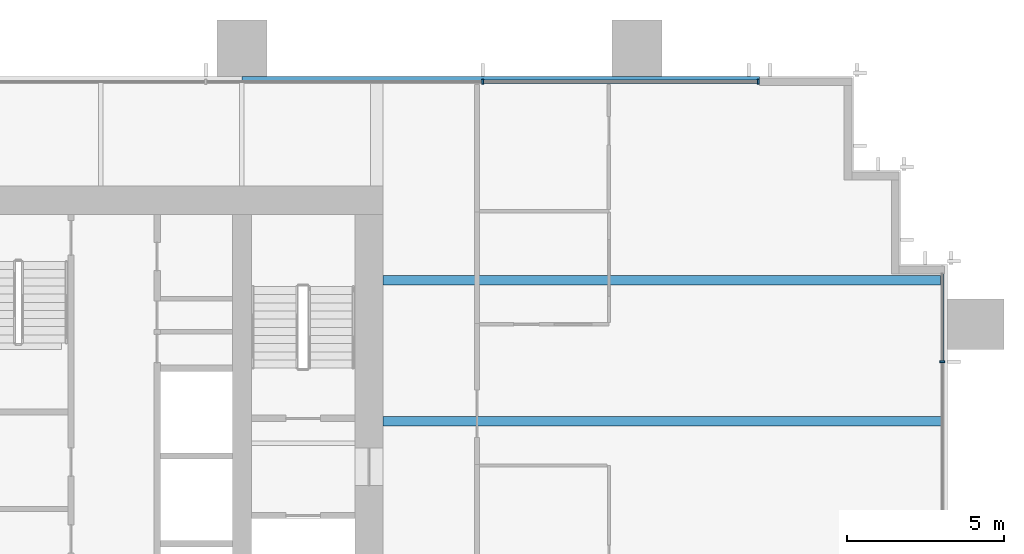
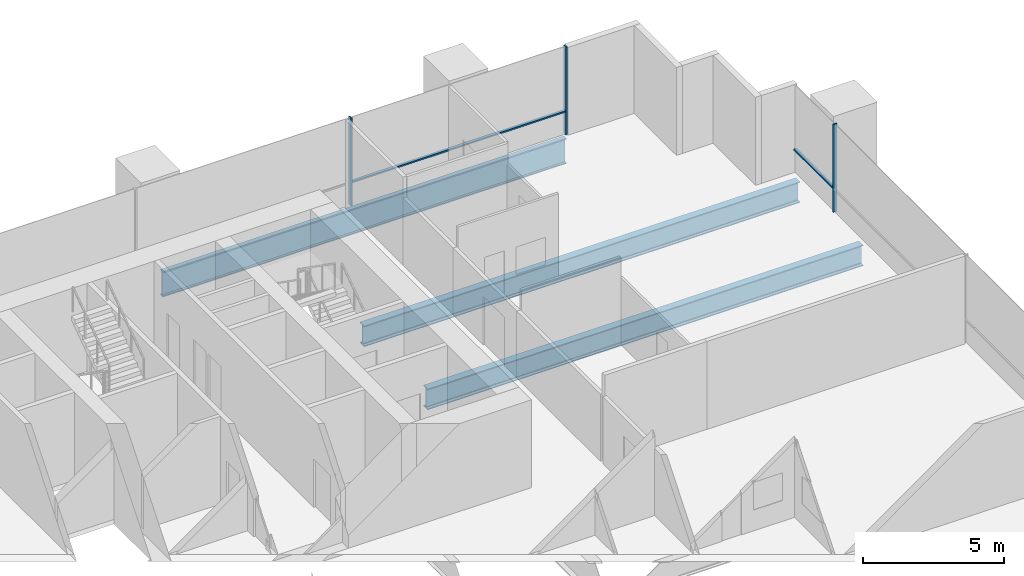
# One storey, part 10 of 17: 5 members, 3 beams, 2 elements without a shape of their own.
"""IFC4 building model written with IfcOpenShell, lengths in metres."""

from ifc_helpers import new_model, si_unit, direction, frame, origin, origin_2d, place, context, subcontext, project, spatial, rectangle, i_section, extrude, material, material_profile, profile_set, type_object, element, aggregate, save


model = new_model("IFC4")

# Units and contexts
model_context = context("Model", 3, precision=1e-05, world=origin(), true_north=direction((0.0, 1.0)))
body_context = subcontext(model_context, "Body", "Model", "MODEL_VIEW")
ifc_project = project(units=[si_unit("LENGTHUNIT", "METRE"), si_unit("AREAUNIT", "SQUARE_METRE"), si_unit("VOLUMEUNIT", "CUBIC_METRE"), si_unit("PLANEANGLEUNIT", "RADIAN"), si_unit("MASSUNIT", "GRAM", prefix="KILO")], contexts=[model_context])

# Site, building, storey
site_placement = place(None, origin())
site = spatial("IfcSite", under=ifc_project, at=site_placement, CompositionType="ELEMENT")
building_placement = place(site_placement, origin())
building = spatial("IfcBuilding", under=site, at=building_placement, Name="Rattan Terrace Tower", CompositionType="ELEMENT")
storey_placement = place(building_placement, frame((0.0, 0.0, 83.699951171875)))
storey = spatial("IfcBuildingStorey", under=building, at=storey_placement, Name="L18", CompositionType="ELEMENT", Elevation=83.699951171875)

# Curtain wall, member
ifc_material_1 = material(Name="Aluminium and glass", Category="aluminium")
curtain_wall_type = type_object("IfcCurtainWallType", Name="Facade Unitised Curtain Wall", PredefinedType="NOTDEFINED", material=ifc_material_1)
curtain_wall_1_placement = place(storey_placement, origin())
curtain_wall_1 = element("IfcCurtainWall", 1, at=curtain_wall_1_placement, inside=storey, type_object=curtain_wall_type, Name="Curtain wall L18-1", PredefinedType="NOTDEFINED")
ifc_material_2 = material(Name="Aluminium", Category="aluminium")
ifc_material_profile_1 = material_profile(ifc_material_2, rectangle(XDim=0.06005859375, YDim=0.159912109375, at=origin_2d()), Name="Aluminium 60x160")
ifc_profile_set_1 = profile_set([ifc_material_profile_1], Name="Aluminium")
member_type_1 = type_object("IfcMemberType", Name="Facade CW Mullion 60x160", PredefinedType="MULLION", material=ifc_profile_set_1)
member_1_placement = place(storey_placement, frame((35.830078125, 1.89990234375, 0.0), z_axis=(0.0, 0.0, 1.0), x_axis=(0.0, 1.0, 0.0)))
member_1 = element("IfcMember", 2, at=member_1_placement, type_object=member_type_1, Name="Mullion cwl-L18-001.4", PredefinedType="MULLION", context=body_context, shape_type="SweptSolid", body=[
    extrude(rectangle(XDim=0.06005859375, YDim=0.159912109375, at=origin_2d()), origin(), (0.0, 0.0, 1.0), 3.800048828125),
])

# Curtain wall, members
curtain_wall_2_placement = place(storey_placement, origin())
curtain_wall_2 = element("IfcCurtainWall", 3, at=curtain_wall_2_placement, inside=storey, type_object=curtain_wall_type, Name="Curtain wall L18-2", PredefinedType="NOTDEFINED")
member_2_placement = place(storey_placement, frame((29.969970703125, 10.830078125, 0.0), z_axis=(0.0, 0.0, 1.0), x_axis=(-1.0, 0.0, 0.0)))
member_2 = element("IfcMember", 4, at=member_2_placement, type_object=member_type_1, Name="Mullion cwl-L18-002.1", PredefinedType="MULLION", context=body_context, shape_type="SweptSolid", body=[
    extrude(rectangle(XDim=0.06005859375, YDim=0.159912109375, at=origin_2d()), origin(), (0.0, 0.0, 1.0), 3.800048828125),
])
member_3_placement = place(storey_placement, frame((21.177001953125, 10.830078125, 0.0), z_axis=(0.0, 0.0, 1.0), x_axis=(-1.0, 0.0, 0.0)))
member_3 = element("IfcMember", 5, at=member_3_placement, type_object=member_type_1, Name="Mullion cwl-L18-002.2", PredefinedType="MULLION", context=body_context, shape_type="SweptSolid", body=[
    extrude(rectangle(XDim=0.06005859375, YDim=0.159912109375, at=origin_2d()), origin(), (0.0, 0.0, 1.0), 3.800048828125),
])

# Member
ifc_material_3 = material(Name="Aluminium", Category="aluminium")
ifc_material_profile_2 = material_profile(ifc_material_3, rectangle(XDim=0.1201171875, YDim=0.06005859375, at=origin_2d()), Name="Aluminium 120x60")
ifc_profile_set_2 = profile_set([ifc_material_profile_2], Name="Aluminium")
member_type_2 = type_object("IfcMemberType", Name="Facade CW Transom 120x60", PredefinedType="USERDEFINED", material=ifc_profile_set_2)
member_4_placement = place(storey_placement, frame((35.830078125, 1.929931640625, 1.0), z_axis=(0.0, 1.0, 0.0), x_axis=(-1.0, 0.0, 0.0)))
member_4 = element("IfcMember", 6, at=member_4_placement, type_object=member_type_2, Name="Transom cwl-L18-001.4", ObjectType="TRANSOM", PredefinedType="USERDEFINED", context=body_context, shape_type="SweptSolid", body=[
    extrude(rectangle(XDim=0.1201171875, YDim=0.06005859375, at=origin_2d()), origin(), (0.0, 0.0, 1.0), 2.775146484375),
])

aggregate(curtain_wall_1, [member_1, member_4])

member_5_placement = place(storey_placement, frame((29.93994140625, 10.830078125, 1.0), z_axis=(-1.0, 0.0, 0.0), x_axis=(0.0, -1.0, 0.0)))
member_5 = element("IfcMember", 7, at=member_5_placement, type_object=member_type_2, Name="Transom cwl-L18-002.1", ObjectType="TRANSOM", PredefinedType="USERDEFINED", context=body_context, shape_type="SweptSolid", body=[
    extrude(rectangle(XDim=0.1201171875, YDim=0.06005859375, at=origin_2d()), origin(), (0.0, 0.0, 1.0), 8.73291015625),
])

aggregate(curtain_wall_2, [member_2, member_3, member_5])

# Beams
ifc_material_4 = material(Name="Steel S460", Category="steel")
ifc_material_profile_3 = material_profile(ifc_material_4, i_section(OverallWidth=0.179931640625, OverallDepth=1.10009765625, WebThickness=0.01611328125, FlangeThickness=0.050048828125, at=origin_2d()), Name="PG 1100x180-16-50")
ifc_profile_set_3 = profile_set([ifc_material_profile_3], Name="Steel S460")
beam_type_1 = type_object("IfcBeamType", Name="Frame edge girder PG 1100x180-16-50", PredefinedType="SPANDREL", material=ifc_profile_set_3)
beam_placement = place(storey_placement, frame((30.0, 10.909912109375, -0.75), z_axis=(-1.0, 0.0, 0.0), x_axis=(0.0, -1.0, 0.0)))
element("IfcBeam", 8, at=beam_placement, inside=storey, type_object=beam_type_1, Name="gdr-L18-008", PredefinedType="SPANDREL", context=body_context, shape_type="SweptSolid", body=[
    extrude(i_section(OverallWidth=0.179931640625, OverallDepth=1.10009765625, WebThickness=0.01611328125, FlangeThickness=0.050048828125, at=origin_2d()), origin(), (0.0, 0.0, 1.0), 16.5),
])
ifc_material_5 = material(Name="Steel S355", Category="steel")
ifc_material_profile_4 = material_profile(ifc_material_5, i_section(OverallWidth=0.300048828125, OverallDepth=0.89990234375, WebThickness=0.0185546875, FlangeThickness=0.034912109375, FilletRadius=0.030029296875, at=origin_2d()), Name="HE 900 B")
ifc_profile_set_4 = profile_set([ifc_material_profile_4], Name="Steel S355")
beam_type_2 = type_object("IfcBeamType", Name="Frame floor beam HE 900 B", PredefinedType="JOIST", material=ifc_profile_set_4)
for number, where, z_axis, x_axis, name in (
    (9, (18.0, 0.0, -0.64990234375), (1.0, 0.0, 0.0), (0.0, 1.0, 0.0), "bm-L18-015"),
    (10, (18.0, 4.5, -0.64990234375), (1.0, 0.0, 0.0), (0.0, 1.0, 0.0), "bm-L18-017"),
):
    element("IfcBeam", number, at=place(storey_placement, frame(where, z_axis=z_axis, x_axis=x_axis)), inside=storey, type_object=beam_type_2, Name=name, PredefinedType="JOIST", context=body_context, shape_type="SweptSolid", body=[
        extrude(i_section(OverallWidth=0.300048828125, OverallDepth=0.89990234375, WebThickness=0.0185546875, FlangeThickness=0.034912109375, FilletRadius=0.030029296875, at=origin_2d()), origin(), (0.0, 0.0, 1.0), 17.820068359375),
    ])

save(model, "model.ifc")
